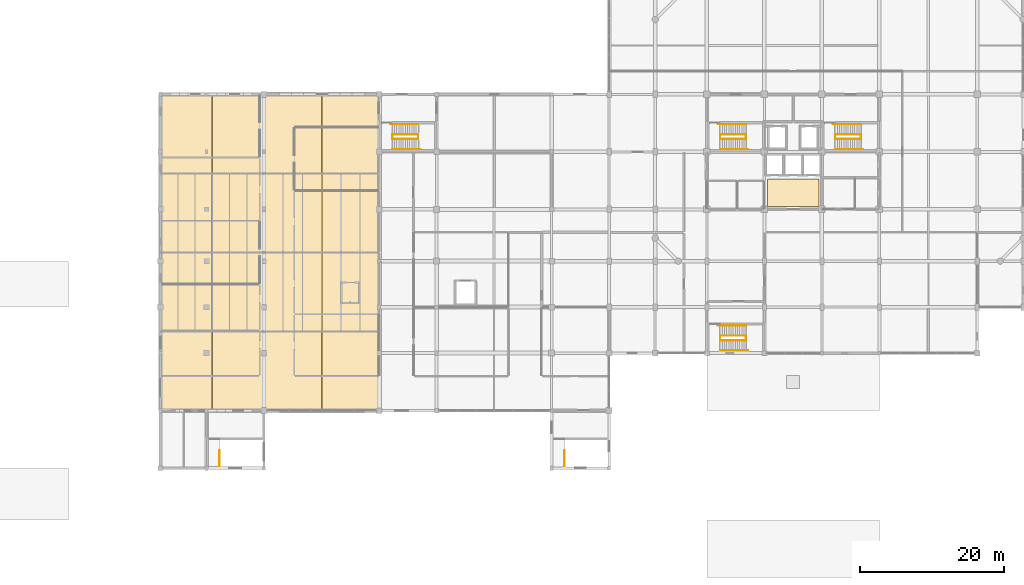
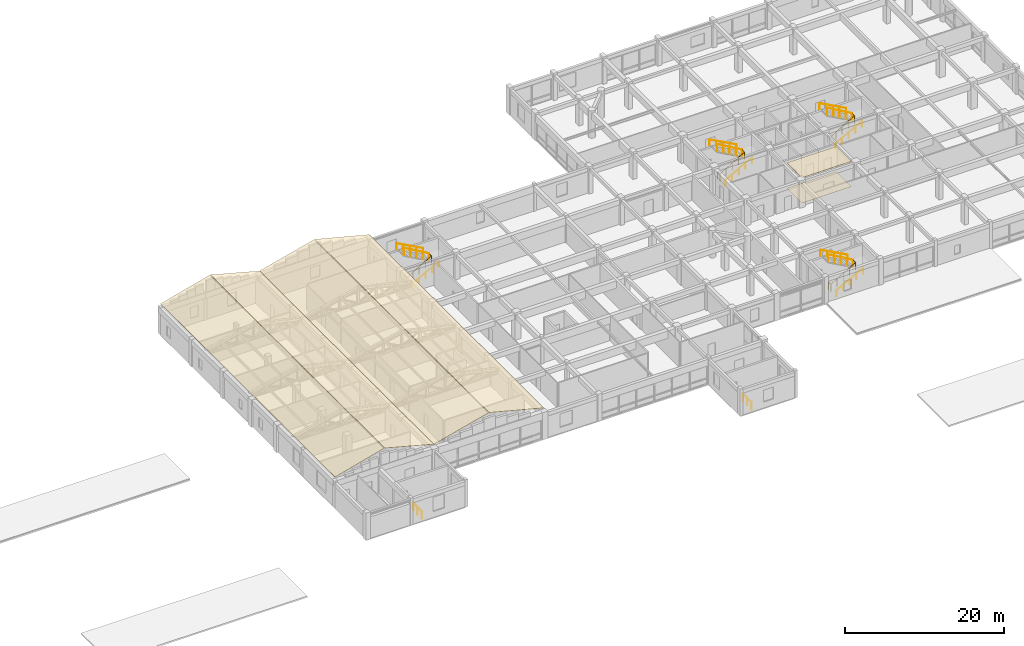
# One storey, part 35 of 35: 18 railings, 6 coverings.
"""IFC4 building model written with IfcOpenShell, lengths in metres."""

from ifc_helpers import new_model, si_unit, direction, frame, origin, origin_2d, place, context, subcontext, project, spatial, polyline, circle, outline, extrude, material, layer, layer_set, type_object, element, save


model = new_model("IFC4")

# Units and contexts
model_context = context("Model", 3, precision=1e-05, world=origin(), true_north=direction((0.0, 1.0)))
body_context = subcontext(model_context, "Body", "Model", "MODEL_VIEW")
ifc_project = project(units=[si_unit("LENGTHUNIT", "METRE"), si_unit("AREAUNIT", "SQUARE_METRE"), si_unit("VOLUMEUNIT", "CUBIC_METRE"), si_unit("PLANEANGLEUNIT", "RADIAN"), si_unit("MASSUNIT", "GRAM", prefix="KILO")], contexts=[model_context])

# Site, building, storey
site_placement = place(None, origin())
site = spatial("IfcSite", under=ifc_project, at=site_placement, CompositionType="ELEMENT")
building_placement = place(site_placement, origin())
building = spatial("IfcBuilding", under=site, at=building_placement, Name="Vellmiral Cinema and Media Centre", CompositionType="ELEMENT")
storey_placement = place(building_placement, frame((0.0, 0.0, 15.60009765625)))
storey = spatial("IfcBuildingStorey", under=building, at=storey_placement, Name="L03", CompositionType="ELEMENT", Elevation=15.60009765625)

# Coverings
ifc_material_1 = material(Name="Micro-Perforated Acoustic Gypsum Ceiling")
ifc_layer_1 = layer(ifc_material_1, 0.0400390625, Name="Micro-Perforated Acoustic Gypsum Ceiling")
ifc_layer_set_1 = layer_set([ifc_layer_1], Name="Micro-Perforated Acoustic Gypsum Ceiling")
covering_type_1 = type_object("IfcCoveringType", Name="COV-AC-CEILING", PredefinedType="CEILING", material=ifc_layer_set_1)
covering_1_placement = place(storey_placement, frame((0.0, 0.0, 3.8798828125)))
element("IfcCovering", 1, at=covering_1_placement, inside=storey, type_object=covering_type_1, Name="Acoustic Lobby Ceiling L03", PredefinedType="CEILING", context=body_context, shape_type="SweptSolid", body=[
    extrude(outline(polyline([(132.39990234375, 79.60009765625), (139.60009765625, 79.60009765625), (139.60009765625, 83.39990234375), (132.39990234375, 83.39990234375), (132.39990234375, 79.60009765625)])), origin(), (0.0, 0.0, 1.0), 0.0400390625),
])
ifc_material_2 = material(Name="Honed Terrazzo Acoustic Floor Finish")
ifc_layer_2 = layer(ifc_material_2, 0.030029296875, Name="Honed Terrazzo Acoustic Floor Finish")
ifc_layer_set_2 = layer_set([ifc_layer_2], Name="Honed Terrazzo Acoustic Floor Finish")
covering_type_2 = type_object("IfcCoveringType", Name="COV-TERR-FLOORING", PredefinedType="FLOORING", material=ifc_layer_set_2)
covering_2_placement = place(storey_placement, origin())
element("IfcCovering", 2, at=covering_2_placement, inside=storey, type_object=covering_type_2, Name="Terrazzo Lobby Flooring L03", PredefinedType="FLOORING", context=body_context, shape_type="SweptSolid", body=[
    extrude(outline(polyline([(132.39990234375, 79.60009765625), (139.60009765625, 79.60009765625), (139.60009765625, 83.39990234375), (132.39990234375, 83.39990234375), (132.39990234375, 79.60009765625)])), origin(), (0.0, 0.0, 1.0), 0.02978515625),
])
ifc_material_3 = material(Name="Glazed Catalan Ceramic Roof Tile")
ifc_layer_3 = layer(ifc_material_3, 0.044921875, Name="Glazed Catalan Ceramic Roof Tile")
ifc_layer_set_3 = layer_set([ifc_layer_3], Name="Glazed Catalan Ceramic Roof Tile")
covering_type_3 = type_object("IfcCoveringType", Name="COV-VAULT-ROOFING", PredefinedType="ROOFING", material=ifc_layer_set_3)
for number, where, z_axis, x_axis, name in (
    (3, (48.0, 51.199951171875, 4.619140625), (-0.258837655444, 0.0, 0.965920839471), (0.965920839471, 0.0, 0.258837655444), "Central Media Library West Barrel Vault Catalan Ceramic Vault Roofing A"),
    (4, (55.243408203125, 51.199951171875, 6.536865234375), (0.258837655444, 0.0, 0.965920839471), (0.965920839471, 0.0, -0.258837655444), "Central Media Library West Barrel Vault Catalan Ceramic Vault Roofing B"),
):
    element("IfcCovering", number, at=place(storey_placement, frame(where, z_axis=z_axis, x_axis=x_axis)), inside=storey, type_object=covering_type_3, Name=name, PredefinedType="ROOFING", context=body_context, shape_type="SweptSolid", body=[
        extrude(outline(polyline([(0.0, 0.0), (7.408986169659277, 0.0), (7.408986169659277, 44.0), (0.0, 44.0), (0.0, 0.0)])), origin(), (0.0, 0.0, -1.0), 0.044921875),
    ])
for number, where, z_axis, x_axis, name in (
    (5, (62.39990234375, 51.199951171875, 4.6181640625), (-0.250369381373, 0.0, 0.968150387528), (0.968150387528, 0.0, 0.250369381373), "Central Editing Hall East Barrel Vault Catalan Ceramic Vault Roofing A"),
    (6, (70.4423828125, 51.199951171875, 6.676025390625), (0.250369381373, 0.0, 0.968150387528), (0.968150387528, 0.0, -0.250369381373), "Central Editing Hall East Barrel Vault Catalan Ceramic Vault Roofing B"),
):
    element("IfcCovering", number, at=place(storey_placement, frame(where, z_axis=z_axis, x_axis=x_axis)), inside=storey, type_object=covering_type_3, Name=name, PredefinedType="ROOFING", context=body_context, shape_type="SweptSolid", body=[
        extrude(outline(polyline([(0.0, 0.0), (8.219301085616562, 0.0), (8.219301085616562, 44.0), (0.0, 44.0), (0.0, 0.0)])), origin(), (0.0, 0.0, -1.0), 0.044921875),
    ])

# Railings
ifc_material_4 = material(Name="Brushed Stainless Steel Handrail", Category="steel")
railing_type_1 = type_object("IfcRailingType", Name="RL-HANDRAIL-900", PredefinedType="HANDRAIL", material=ifc_material_4)
railing_1_placement = place(storey_placement, frame((80.25, 87.56005859375, 0.161376953125)))
element("IfcRailing", 7, at=railing_1_placement, inside=storey, type_object=railing_type_1, Name="Stair Wall Handrail ST-P5 L03-1", PredefinedType="HANDRAIL", context=body_context, shape_type="SweptSolid", body=[
    extrude(circle(Radius=0.02392578125, at=origin_2d()), frame((0.0, 0.0, 0.8759765625), z_axis=(0.880456940745, 0.0, 0.474126117709), x_axis=(0.0, 1.0, 0.0)), (0.0, 0.0, 1.0), 4.429443359375),
    extrude(circle(Radius=0.02099609375, at=origin_2d()), origin(), (0.0, 0.0, 1.0), 0.851806640625),
    extrude(circle(Radius=0.02099609375, at=origin_2d()), frame((0.97509765625, 0.0, 0.52490234375)), (0.0, 0.0, 1.0), 0.851806640625),
    extrude(circle(Radius=0.02099609375, at=origin_2d()), frame((1.949951171875, 0.0, 1.050048828125)), (0.0, 0.0, 1.0), 0.851806640625),
    extrude(circle(Radius=0.02099609375, at=origin_2d()), frame((2.9248046875, 0.0, 1.5751953125)), (0.0, 0.0, 1.0), 0.851806640625),
    extrude(circle(Radius=0.02099609375, at=origin_2d()), frame((3.89990234375, 0.0, 2.10009765625)), (0.0, 0.0, 1.0), 0.851806640625),
])
railing_2_placement = place(storey_placement, frame((83.85009765625, 91.0400390625, 2.261474609375)))
element("IfcRailing", 8, at=railing_2_placement, inside=storey, type_object=railing_type_1, Name="Stair Wall Handrail ST-P5 L03-2", PredefinedType="HANDRAIL", context=body_context, shape_type="SweptSolid", body=[
    extrude(circle(Radius=0.02392578125, at=origin_2d()), frame((0.0, 0.0, 0.8759765625), z_axis=(-0.88049233674, 0.0, 0.474060381114), x_axis=(0.0, -1.0, 0.0)), (0.0, 0.0, 1.0), 4.429443359375),
    extrude(circle(Radius=0.02099609375, at=origin_2d()), origin(), (0.0, 0.0, 1.0), 0.851806640625),
    extrude(circle(Radius=0.02099609375, at=origin_2d()), frame((-0.97509765625, 0.0, 0.52490234375)), (0.0, 0.0, 1.0), 0.851806640625),
    extrude(circle(Radius=0.02099609375, at=origin_2d()), frame((-1.9501953125, 0.0, 1.0498046875)), (0.0, 0.0, 1.0), 0.851806640625),
    extrude(circle(Radius=0.02099609375, at=origin_2d()), frame((-2.925048828125, 0.0, 1.574951171875)), (0.0, 0.0, 1.0), 0.851806640625),
    extrude(circle(Radius=0.02099609375, at=origin_2d()), frame((-3.900146484375, 0.0, 2.099853515625)), (0.0, 0.0, 1.0), 0.851806640625),
])
railing_3_placement = place(storey_placement, frame((125.85009765625, 59.56005859375, 0.161376953125)))
element("IfcRailing", 9, at=railing_3_placement, inside=storey, type_object=railing_type_1, Name="Stair Wall Handrail ST-P6 L03-1", PredefinedType="HANDRAIL", context=body_context, shape_type="SweptSolid", body=[
    extrude(circle(Radius=0.02392578125, at=origin_2d()), frame((0.0, 0.0, 0.8759765625), z_axis=(0.880456940745, 0.0, 0.474126117709), x_axis=(0.0, 1.0, 0.0)), (0.0, 0.0, 1.0), 4.429443359375),
    extrude(circle(Radius=0.02099609375, at=origin_2d()), origin(), (0.0, 0.0, 1.0), 0.851806640625),
    extrude(circle(Radius=0.02099609375, at=origin_2d()), frame((0.97509765625, 0.0, 0.52490234375)), (0.0, 0.0, 1.0), 0.851806640625),
    extrude(circle(Radius=0.02099609375, at=origin_2d()), frame((1.949951171875, 0.0, 1.050048828125)), (0.0, 0.0, 1.0), 0.851806640625),
    extrude(circle(Radius=0.02099609375, at=origin_2d()), frame((2.9248046875, 0.0, 1.5751953125)), (0.0, 0.0, 1.0), 0.851806640625),
    extrude(circle(Radius=0.02099609375, at=origin_2d()), frame((3.89990234375, 0.0, 2.10009765625)), (0.0, 0.0, 1.0), 0.851806640625),
])
railing_4_placement = place(storey_placement, frame((129.449951171875, 63.0400390625, 2.261474609375)))
element("IfcRailing", 10, at=railing_4_placement, inside=storey, type_object=railing_type_1, Name="Stair Wall Handrail ST-P6 L03-2", PredefinedType="HANDRAIL", context=body_context, shape_type="SweptSolid", body=[
    extrude(circle(Radius=0.02392578125, at=origin_2d()), frame((0.0, 0.0, 0.8759765625), z_axis=(-0.88047994924, 0.0, 0.474083388219), x_axis=(0.0, -1.0, 0.0)), (0.0, 0.0, 1.0), 4.42919921875),
    extrude(circle(Radius=0.02099609375, at=origin_2d()), origin(), (0.0, 0.0, 1.0), 0.851806640625),
    extrude(circle(Radius=0.02099609375, at=origin_2d()), frame((-0.97509765625, 0.0, 0.52490234375)), (0.0, 0.0, 1.0), 0.851806640625),
    extrude(circle(Radius=0.02099609375, at=origin_2d()), frame((-1.949951171875, 0.0, 1.0498046875)), (0.0, 0.0, 1.0), 0.851806640625),
    extrude(circle(Radius=0.02099609375, at=origin_2d()), frame((-2.9248046875, 0.0, 1.574951171875)), (0.0, 0.0, 1.0), 0.851806640625),
    extrude(circle(Radius=0.02099609375, at=origin_2d()), frame((-3.89990234375, 0.0, 2.099853515625)), (0.0, 0.0, 1.0), 0.851806640625),
])
railing_5_placement = place(storey_placement, frame((125.85009765625, 87.56005859375, 0.161376953125)))
element("IfcRailing", 11, at=railing_5_placement, inside=storey, type_object=railing_type_1, Name="Stair Wall Handrail ST-T1 L03-1", PredefinedType="HANDRAIL", context=body_context, shape_type="SweptSolid", body=[
    extrude(circle(Radius=0.02392578125, at=origin_2d()), frame((0.0, 0.0, 0.8759765625), z_axis=(0.880456940745, 0.0, 0.474126117709), x_axis=(0.0, 1.0, 0.0)), (0.0, 0.0, 1.0), 4.429443359375),
    extrude(circle(Radius=0.02099609375, at=origin_2d()), origin(), (0.0, 0.0, 1.0), 0.851806640625),
    extrude(circle(Radius=0.02099609375, at=origin_2d()), frame((0.97509765625, 0.0, 0.52490234375)), (0.0, 0.0, 1.0), 0.851806640625),
    extrude(circle(Radius=0.02099609375, at=origin_2d()), frame((1.949951171875, 0.0, 1.050048828125)), (0.0, 0.0, 1.0), 0.851806640625),
    extrude(circle(Radius=0.02099609375, at=origin_2d()), frame((2.9248046875, 0.0, 1.5751953125)), (0.0, 0.0, 1.0), 0.851806640625),
    extrude(circle(Radius=0.02099609375, at=origin_2d()), frame((3.89990234375, 0.0, 2.10009765625)), (0.0, 0.0, 1.0), 0.851806640625),
])
railing_6_placement = place(storey_placement, frame((129.449951171875, 91.0400390625, 2.261474609375)))
element("IfcRailing", 12, at=railing_6_placement, inside=storey, type_object=railing_type_1, Name="Stair Wall Handrail ST-T1 L03-2", PredefinedType="HANDRAIL", context=body_context, shape_type="SweptSolid", body=[
    extrude(circle(Radius=0.02392578125, at=origin_2d()), frame((0.0, 0.0, 0.8759765625), z_axis=(-0.88047994924, 0.0, 0.474083388219), x_axis=(0.0, -1.0, 0.0)), (0.0, 0.0, 1.0), 4.42919921875),
    extrude(circle(Radius=0.02099609375, at=origin_2d()), origin(), (0.0, 0.0, 1.0), 0.851806640625),
    extrude(circle(Radius=0.02099609375, at=origin_2d()), frame((-0.97509765625, 0.0, 0.52490234375)), (0.0, 0.0, 1.0), 0.851806640625),
    extrude(circle(Radius=0.02099609375, at=origin_2d()), frame((-1.949951171875, 0.0, 1.0498046875)), (0.0, 0.0, 1.0), 0.851806640625),
    extrude(circle(Radius=0.02099609375, at=origin_2d()), frame((-2.9248046875, 0.0, 1.574951171875)), (0.0, 0.0, 1.0), 0.851806640625),
    extrude(circle(Radius=0.02099609375, at=origin_2d()), frame((-3.89990234375, 0.0, 2.099853515625)), (0.0, 0.0, 1.0), 0.851806640625),
])
railing_7_placement = place(storey_placement, frame((141.85009765625, 87.56005859375, 0.161376953125)))
element("IfcRailing", 13, at=railing_7_placement, inside=storey, type_object=railing_type_1, Name="Stair Wall Handrail ST-T2 L03-1", PredefinedType="HANDRAIL", context=body_context, shape_type="SweptSolid", body=[
    extrude(circle(Radius=0.02392578125, at=origin_2d()), frame((0.0, 0.0, 0.8759765625), z_axis=(0.880456940745, 0.0, 0.474126117709), x_axis=(0.0, 1.0, 0.0)), (0.0, 0.0, 1.0), 4.429443359375),
    extrude(circle(Radius=0.02099609375, at=origin_2d()), origin(), (0.0, 0.0, 1.0), 0.851806640625),
    extrude(circle(Radius=0.02099609375, at=origin_2d()), frame((0.97509765625, 0.0, 0.52490234375)), (0.0, 0.0, 1.0), 0.851806640625),
    extrude(circle(Radius=0.02099609375, at=origin_2d()), frame((1.949951171875, 0.0, 1.050048828125)), (0.0, 0.0, 1.0), 0.851806640625),
    extrude(circle(Radius=0.02099609375, at=origin_2d()), frame((2.9248046875, 0.0, 1.5751953125)), (0.0, 0.0, 1.0), 0.851806640625),
    extrude(circle(Radius=0.02099609375, at=origin_2d()), frame((3.89990234375, 0.0, 2.10009765625)), (0.0, 0.0, 1.0), 0.851806640625),
])
railing_8_placement = place(storey_placement, frame((145.449951171875, 91.0400390625, 2.261474609375)))
element("IfcRailing", 14, at=railing_8_placement, inside=storey, type_object=railing_type_1, Name="Stair Wall Handrail ST-T2 L03-2", PredefinedType="HANDRAIL", context=body_context, shape_type="SweptSolid", body=[
    extrude(circle(Radius=0.02392578125, at=origin_2d()), frame((0.0, 0.0, 0.8759765625), z_axis=(-0.88047994924, 0.0, 0.474083388219), x_axis=(0.0, -1.0, 0.0)), (0.0, 0.0, 1.0), 4.42919921875),
    extrude(circle(Radius=0.02099609375, at=origin_2d()), origin(), (0.0, 0.0, 1.0), 0.851806640625),
    extrude(circle(Radius=0.02099609375, at=origin_2d()), frame((-0.97509765625, 0.0, 0.52490234375)), (0.0, 0.0, 1.0), 0.851806640625),
    extrude(circle(Radius=0.02099609375, at=origin_2d()), frame((-1.949951171875, 0.0, 1.0498046875)), (0.0, 0.0, 1.0), 0.851806640625),
    extrude(circle(Radius=0.02099609375, at=origin_2d()), frame((-2.9248046875, 0.0, 1.574951171875)), (0.0, 0.0, 1.0), 0.851806640625),
    extrude(circle(Radius=0.02099609375, at=origin_2d()), frame((-3.89990234375, 0.0, 2.099853515625)), (0.0, 0.0, 1.0), 0.851806640625),
])
ifc_material_5 = material(Name="Painted Steel Stair Guardrail", Category="steel")
railing_type_2 = type_object("IfcRailingType", Name="RL-STAIR-GUARD-1120", PredefinedType="GUARDRAIL", material=ifc_material_5)
for number, where, name in (
    (15, (56.199951171875, 43.5, 0.0), "Top-Landing Stairwell Guard ST-P3 L03"),
    (16, (104.199951171875, 43.5, 0.0), "Top-Landing Stairwell Guard ST-P4 L03"),
):
    element("IfcRailing", number, at=place(storey_placement, frame(where)), inside=storey, type_object=railing_type_2, Name=name, PredefinedType="GUARDRAIL", context=body_context, shape_type="SweptSolid", body=[
        extrude(circle(Radius=0.02392578125, at=origin_2d()), frame((0.0, 0.0, 1.09619140625), z_axis=(0.0, 1.0, 0.0), x_axis=(-1.0, 0.0, 0.0)), (0.0, 0.0, 1.0), 2.139892578125),
        extrude(circle(Radius=0.02099609375, at=origin_2d()), origin(), (0.0, 0.0, 1.0), 1.072021484375),
        extrude(circle(Radius=0.02099609375, at=origin_2d()), frame((0.0, 1.06982421875, 0.0)), (0.0, 0.0, 1.0), 1.072021484375),
        extrude(circle(Radius=0.02099609375, at=origin_2d()), frame((0.0, 2.139892578125, 0.0)), (0.0, 0.0, 1.0), 1.072021484375),
    ])
railing_9_placement = place(storey_placement, frame((80.25, 89.580078125, 0.0)))
element("IfcRailing", 17, at=railing_9_placement, inside=storey, type_object=railing_type_2, Name="Stair Well Guard ST-P5 L03-A", PredefinedType="GUARDRAIL", context=body_context, shape_type="SweptSolid", body=[
    extrude(circle(Radius=0.02392578125, at=origin_2d()), frame((0.0, 0.0, 1.09619140625), z_axis=(0.0, -1.0, 0.0), x_axis=(1.0, 0.0, 0.0)), (0.0, 0.0, 1.0), 0.60009765625),
    extrude(circle(Radius=0.02392578125, at=origin_2d()), frame((0.0, -0.60009765625, 1.09619140625), z_axis=(0.863800146258, 0.0, 0.503834603144), x_axis=(0.0, 1.0, 0.0)), (0.0, 0.0, 1.0), 4.167724609375),
    extrude(circle(Radius=0.02392578125, at=origin_2d()), frame((3.60009765625, -0.60009765625, 3.19580078125), z_axis=(0.0, 1.0, 0.0), x_axis=(-1.0, 0.0, 0.0)), (0.0, 0.0, 1.0), 0.64013671875),
    extrude(circle(Radius=0.02099609375, at=origin_2d()), origin(), (0.0, 0.0, 1.0), 1.072021484375),
    extrude(circle(Radius=0.02099609375, at=origin_2d()), frame((0.0, -0.60009765625, 0.0)), (0.0, 0.0, 1.0), 1.072021484375),
    extrude(circle(Radius=0.02099609375, at=origin_2d()), frame((0.89990234375, -0.60009765625, 0.52490234375)), (0.0, 0.0, 1.0), 1.072021484375),
    extrude(circle(Radius=0.02099609375, at=origin_2d()), frame((1.800048828125, -0.60009765625, 1.0498046875)), (0.0, 0.0, 1.0), 1.072021484375),
    extrude(circle(Radius=0.02099609375, at=origin_2d()), frame((2.7001953125, -0.60009765625, 1.574951171875)), (0.0, 0.0, 1.0), 1.072021484375),
    extrude(circle(Radius=0.02099609375, at=origin_2d()), frame((3.60009765625, -0.60009765625, 2.099853515625)), (0.0, 0.0, 1.0), 1.072021484375),
    extrude(circle(Radius=0.02099609375, at=origin_2d()), frame((3.60009765625, 0.0400390625, 2.099853515625)), (0.0, 0.0, 1.0), 1.072021484375),
])
railing_10_placement = place(storey_placement, frame((83.85009765625, 89.6201171875, 2.099853515625)))
element("IfcRailing", 18, at=railing_10_placement, inside=storey, type_object=railing_type_2, Name="Stair Well Guard ST-P5 L03-B", PredefinedType="GUARDRAIL", context=body_context, shape_type="SweptSolid", body=[
    extrude(circle(Radius=0.02392578125, at=origin_2d()), frame((0.0, 0.0, 1.09619140625), z_axis=(-0.863774651768, 0.0, 0.503878309678), x_axis=(0.0, -1.0, 0.0)), (0.0, 0.0, 1.0), 4.16796875),
    extrude(circle(Radius=0.02099609375, at=origin_2d()), origin(), (0.0, 0.0, 1.0), 1.072021484375),
    extrude(circle(Radius=0.02099609375, at=origin_2d()), frame((-0.89990234375, 0.0, 0.52490234375)), (0.0, 0.0, 1.0), 1.072021484375),
    extrude(circle(Radius=0.02099609375, at=origin_2d()), frame((-1.800048828125, 0.0, 1.050048828125)), (0.0, 0.0, 1.0), 1.072021484375),
    extrude(circle(Radius=0.02099609375, at=origin_2d()), frame((-2.7001953125, 0.0, 1.5751953125)), (0.0, 0.0, 1.0), 1.072021484375),
    extrude(circle(Radius=0.02099609375, at=origin_2d()), frame((-3.60009765625, 0.0, 2.10009765625)), (0.0, 0.0, 1.0), 1.072021484375),
])
railing_11_placement = place(storey_placement, frame((125.85009765625, 61.580078125, 0.0)))
element("IfcRailing", 19, at=railing_11_placement, inside=storey, type_object=railing_type_2, Name="Stair Well Guard ST-P6 L03-A", PredefinedType="GUARDRAIL", context=body_context, shape_type="SweptSolid", body=[
    extrude(circle(Radius=0.02392578125, at=origin_2d()), frame((0.0, 0.0, 1.09619140625), z_axis=(0.0, -1.0, 0.0), x_axis=(1.0, 0.0, 0.0)), (0.0, 0.0, 1.0), 0.60009765625),
    extrude(circle(Radius=0.02392578125, at=origin_2d()), frame((0.0, -0.60009765625, 1.09619140625), z_axis=(0.86378527499, 0.0, 0.503860098351), x_axis=(0.0, 1.0, 0.0)), (0.0, 0.0, 1.0), 4.16748046875),
    extrude(circle(Radius=0.02392578125, at=origin_2d()), frame((3.599853515625, -0.60009765625, 3.19580078125), z_axis=(0.0, 1.0, 0.0), x_axis=(-1.0, 0.0, 0.0)), (0.0, 0.0, 1.0), 0.64013671875),
    extrude(circle(Radius=0.02099609375, at=origin_2d()), origin(), (0.0, 0.0, 1.0), 1.072021484375),
    extrude(circle(Radius=0.02099609375, at=origin_2d()), frame((0.0, -0.60009765625, 0.0)), (0.0, 0.0, 1.0), 1.072021484375),
    extrude(circle(Radius=0.02099609375, at=origin_2d()), frame((0.89990234375, -0.60009765625, 0.52490234375)), (0.0, 0.0, 1.0), 1.072021484375),
    extrude(circle(Radius=0.02099609375, at=origin_2d()), frame((1.7998046875, -0.60009765625, 1.0498046875)), (0.0, 0.0, 1.0), 1.072021484375),
    extrude(circle(Radius=0.02099609375, at=origin_2d()), frame((2.699951171875, -0.60009765625, 1.574951171875)), (0.0, 0.0, 1.0), 1.072021484375),
    extrude(circle(Radius=0.02099609375, at=origin_2d()), frame((3.599853515625, -0.60009765625, 2.099853515625)), (0.0, 0.0, 1.0), 1.072021484375),
    extrude(circle(Radius=0.02099609375, at=origin_2d()), frame((3.599853515625, 0.0400390625, 2.099853515625)), (0.0, 0.0, 1.0), 1.072021484375),
])
railing_12_placement = place(storey_placement, frame((129.449951171875, 61.6201171875, 2.099853515625)))
element("IfcRailing", 20, at=railing_12_placement, inside=storey, type_object=railing_type_2, Name="Stair Well Guard ST-P6 L03-B", PredefinedType="GUARDRAIL", context=body_context, shape_type="SweptSolid", body=[
    extrude(circle(Radius=0.02392578125, at=origin_2d()), frame((0.0, 0.0, 1.09619140625), z_axis=(-0.863759778359, 0.0, 0.503903805591), x_axis=(0.0, -1.0, 0.0)), (0.0, 0.0, 1.0), 4.167724609375),
    extrude(circle(Radius=0.02099609375, at=origin_2d()), origin(), (0.0, 0.0, 1.0), 1.072021484375),
    extrude(circle(Radius=0.02099609375, at=origin_2d()), frame((-0.89990234375, 0.0, 0.52490234375)), (0.0, 0.0, 1.0), 1.072021484375),
    extrude(circle(Radius=0.02099609375, at=origin_2d()), frame((-1.7998046875, 0.0, 1.050048828125)), (0.0, 0.0, 1.0), 1.072021484375),
    extrude(circle(Radius=0.02099609375, at=origin_2d()), frame((-2.699951171875, 0.0, 1.5751953125)), (0.0, 0.0, 1.0), 1.072021484375),
    extrude(circle(Radius=0.02099609375, at=origin_2d()), frame((-3.599853515625, 0.0, 2.10009765625)), (0.0, 0.0, 1.0), 1.072021484375),
])
railing_13_placement = place(storey_placement, frame((125.85009765625, 89.580078125, 0.0)))
element("IfcRailing", 21, at=railing_13_placement, inside=storey, type_object=railing_type_2, Name="Stair Well Guard ST-T1 L03-A", PredefinedType="GUARDRAIL", context=body_context, shape_type="SweptSolid", body=[
    extrude(circle(Radius=0.02392578125, at=origin_2d()), frame((0.0, 0.0, 1.09619140625), z_axis=(0.0, -1.0, 0.0), x_axis=(1.0, 0.0, 0.0)), (0.0, 0.0, 1.0), 0.60009765625),
    extrude(circle(Radius=0.02392578125, at=origin_2d()), frame((0.0, -0.60009765625, 1.09619140625), z_axis=(0.86378527499, 0.0, 0.503860098351), x_axis=(0.0, 1.0, 0.0)), (0.0, 0.0, 1.0), 4.16748046875),
    extrude(circle(Radius=0.02392578125, at=origin_2d()), frame((3.599853515625, -0.60009765625, 3.19580078125), z_axis=(0.0, 1.0, 0.0), x_axis=(-1.0, 0.0, 0.0)), (0.0, 0.0, 1.0), 0.64013671875),
    extrude(circle(Radius=0.02099609375, at=origin_2d()), origin(), (0.0, 0.0, 1.0), 1.072021484375),
    extrude(circle(Radius=0.02099609375, at=origin_2d()), frame((0.0, -0.60009765625, 0.0)), (0.0, 0.0, 1.0), 1.072021484375),
    extrude(circle(Radius=0.02099609375, at=origin_2d()), frame((0.89990234375, -0.60009765625, 0.52490234375)), (0.0, 0.0, 1.0), 1.072021484375),
    extrude(circle(Radius=0.02099609375, at=origin_2d()), frame((1.7998046875, -0.60009765625, 1.0498046875)), (0.0, 0.0, 1.0), 1.072021484375),
    extrude(circle(Radius=0.02099609375, at=origin_2d()), frame((2.699951171875, -0.60009765625, 1.574951171875)), (0.0, 0.0, 1.0), 1.072021484375),
    extrude(circle(Radius=0.02099609375, at=origin_2d()), frame((3.599853515625, -0.60009765625, 2.099853515625)), (0.0, 0.0, 1.0), 1.072021484375),
    extrude(circle(Radius=0.02099609375, at=origin_2d()), frame((3.599853515625, 0.0400390625, 2.099853515625)), (0.0, 0.0, 1.0), 1.072021484375),
])
railing_14_placement = place(storey_placement, frame((129.449951171875, 89.6201171875, 2.099853515625)))
element("IfcRailing", 22, at=railing_14_placement, inside=storey, type_object=railing_type_2, Name="Stair Well Guard ST-T1 L03-B", PredefinedType="GUARDRAIL", context=body_context, shape_type="SweptSolid", body=[
    extrude(circle(Radius=0.02392578125, at=origin_2d()), frame((0.0, 0.0, 1.09619140625), z_axis=(-0.863759778359, 0.0, 0.503903805591), x_axis=(0.0, -1.0, 0.0)), (0.0, 0.0, 1.0), 4.167724609375),
    extrude(circle(Radius=0.02099609375, at=origin_2d()), origin(), (0.0, 0.0, 1.0), 1.072021484375),
    extrude(circle(Radius=0.02099609375, at=origin_2d()), frame((-0.89990234375, 0.0, 0.52490234375)), (0.0, 0.0, 1.0), 1.072021484375),
    extrude(circle(Radius=0.02099609375, at=origin_2d()), frame((-1.7998046875, 0.0, 1.050048828125)), (0.0, 0.0, 1.0), 1.072021484375),
    extrude(circle(Radius=0.02099609375, at=origin_2d()), frame((-2.699951171875, 0.0, 1.5751953125)), (0.0, 0.0, 1.0), 1.072021484375),
    extrude(circle(Radius=0.02099609375, at=origin_2d()), frame((-3.599853515625, 0.0, 2.10009765625)), (0.0, 0.0, 1.0), 1.072021484375),
])
railing_15_placement = place(storey_placement, frame((141.85009765625, 89.580078125, 0.0)))
element("IfcRailing", 23, at=railing_15_placement, inside=storey, type_object=railing_type_2, Name="Stair Well Guard ST-T2 L03-A", PredefinedType="GUARDRAIL", context=body_context, shape_type="SweptSolid", body=[
    extrude(circle(Radius=0.02392578125, at=origin_2d()), frame((0.0, 0.0, 1.09619140625), z_axis=(0.0, -1.0, 0.0), x_axis=(1.0, 0.0, 0.0)), (0.0, 0.0, 1.0), 0.60009765625),
    extrude(circle(Radius=0.02392578125, at=origin_2d()), frame((0.0, -0.60009765625, 1.09619140625), z_axis=(0.86378527499, 0.0, 0.503860098351), x_axis=(0.0, 1.0, 0.0)), (0.0, 0.0, 1.0), 4.16748046875),
    extrude(circle(Radius=0.02392578125, at=origin_2d()), frame((3.599853515625, -0.60009765625, 3.19580078125), z_axis=(0.0, 1.0, 0.0), x_axis=(-1.0, 0.0, 0.0)), (0.0, 0.0, 1.0), 0.64013671875),
    extrude(circle(Radius=0.02099609375, at=origin_2d()), origin(), (0.0, 0.0, 1.0), 1.072021484375),
    extrude(circle(Radius=0.02099609375, at=origin_2d()), frame((0.0, -0.60009765625, 0.0)), (0.0, 0.0, 1.0), 1.072021484375),
    extrude(circle(Radius=0.02099609375, at=origin_2d()), frame((0.89990234375, -0.60009765625, 0.52490234375)), (0.0, 0.0, 1.0), 1.072021484375),
    extrude(circle(Radius=0.02099609375, at=origin_2d()), frame((1.7998046875, -0.60009765625, 1.0498046875)), (0.0, 0.0, 1.0), 1.072021484375),
    extrude(circle(Radius=0.02099609375, at=origin_2d()), frame((2.699951171875, -0.60009765625, 1.574951171875)), (0.0, 0.0, 1.0), 1.072021484375),
    extrude(circle(Radius=0.02099609375, at=origin_2d()), frame((3.599853515625, -0.60009765625, 2.099853515625)), (0.0, 0.0, 1.0), 1.072021484375),
    extrude(circle(Radius=0.02099609375, at=origin_2d()), frame((3.599853515625, 0.0400390625, 2.099853515625)), (0.0, 0.0, 1.0), 1.072021484375),
])
railing_16_placement = place(storey_placement, frame((145.449951171875, 89.6201171875, 2.099853515625)))
element("IfcRailing", 24, at=railing_16_placement, inside=storey, type_object=railing_type_2, Name="Stair Well Guard ST-T2 L03-B", PredefinedType="GUARDRAIL", context=body_context, shape_type="SweptSolid", body=[
    extrude(circle(Radius=0.02392578125, at=origin_2d()), frame((0.0, 0.0, 1.09619140625), z_axis=(-0.863759778359, 0.0, 0.503903805591), x_axis=(0.0, -1.0, 0.0)), (0.0, 0.0, 1.0), 4.167724609375),
    extrude(circle(Radius=0.02099609375, at=origin_2d()), origin(), (0.0, 0.0, 1.0), 1.072021484375),
    extrude(circle(Radius=0.02099609375, at=origin_2d()), frame((-0.89990234375, 0.0, 0.52490234375)), (0.0, 0.0, 1.0), 1.072021484375),
    extrude(circle(Radius=0.02099609375, at=origin_2d()), frame((-1.7998046875, 0.0, 1.050048828125)), (0.0, 0.0, 1.0), 1.072021484375),
    extrude(circle(Radius=0.02099609375, at=origin_2d()), frame((-2.699951171875, 0.0, 1.5751953125)), (0.0, 0.0, 1.0), 1.072021484375),
    extrude(circle(Radius=0.02099609375, at=origin_2d()), frame((-3.599853515625, 0.0, 2.10009765625)), (0.0, 0.0, 1.0), 1.072021484375),
])

save(model, "model.ifc")
